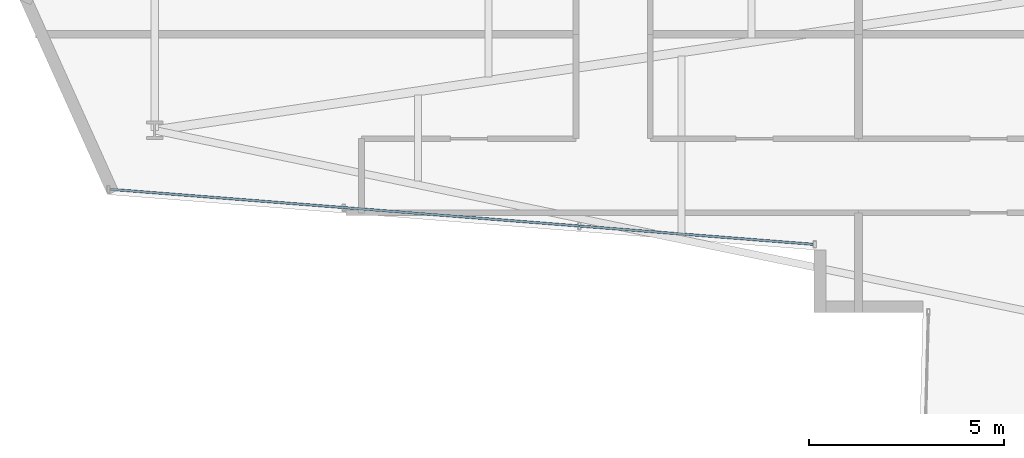
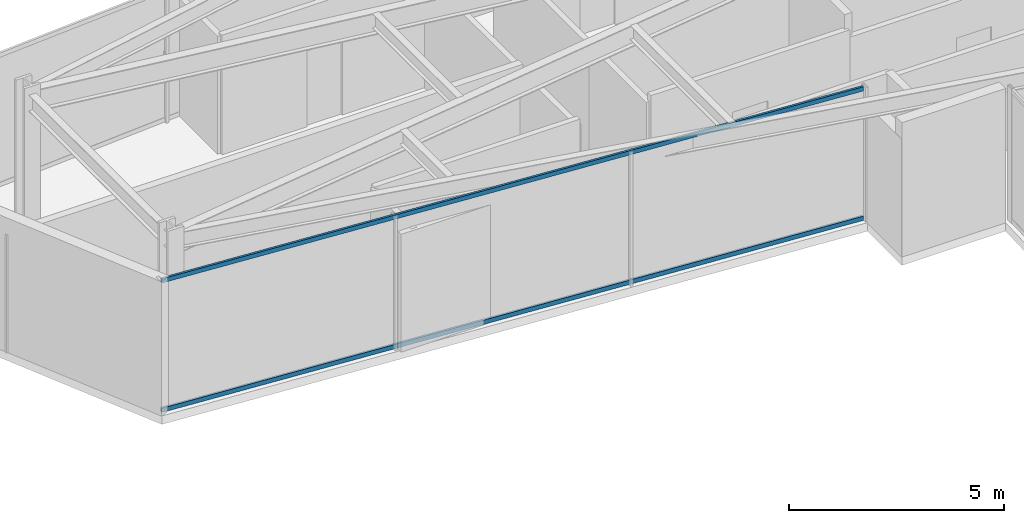
# One storey, part 3 of 30: 2 members, 1 element without a shape of its own.
"""IFC4 building model written with IfcOpenShell, lengths in metres."""

from ifc_helpers import new_model, si_unit, direction, frame, origin, origin_2d, place, context, subcontext, project, spatial, hollow_rectangle, extrude, material, layer, layer_set, material_profile, profile_set, type_object, element, aggregate, save


model = new_model("IFC4")

# Units and contexts
model_context = context("Model", 3, precision=1e-05, world=origin(), true_north=direction((0.0, 1.0)))
body_context = subcontext(model_context, "Body", "Model", "MODEL_VIEW")
ifc_project = project(units=[si_unit("LENGTHUNIT", "METRE"), si_unit("AREAUNIT", "SQUARE_METRE"), si_unit("VOLUMEUNIT", "CUBIC_METRE"), si_unit("PLANEANGLEUNIT", "RADIAN"), si_unit("MASSUNIT", "GRAM", prefix="KILO")], contexts=[model_context])

# Site, building, storey
site_placement = place(None, origin())
site = spatial("IfcSite", under=ifc_project, at=site_placement, CompositionType="ELEMENT")
building_placement = place(site_placement, origin())
building = spatial("IfcBuilding", under=site, at=building_placement, Name="Veymaron Broadcast Tower", CompositionType="ELEMENT")
storey_placement = place(building_placement, frame((0.0, 0.0, 66.14990234375)))
storey = spatial("IfcBuildingStorey", under=building, at=storey_placement, Name="L14", CompositionType="ELEMENT", Elevation=66.14990234375)

# Curtain wall, members
ifc_material_1 = material(Name="Anodised aluminium AA 6063-T6 and laminated low-E dark glass", Category="aluminium")
ifc_layer = layer(ifc_material_1, 0.179931640625)
ifc_layer_set = layer_set([ifc_layer], Name="Anodised aluminium AA 6063-T6 and laminated low-E dark glass")
curtain_wall_type = type_object("IfcCurtainWallType", Name="CW-SYS-02", PredefinedType="NOTDEFINED", material=ifc_layer_set)
curtain_wall_placement = place(storey_placement, origin())
curtain_wall = element("IfcCurtainWall", 1, at=curtain_wall_placement, inside=storey, type_object=curtain_wall_type, Name="L14 dark-glass curtain wall CW-L14-E14-1", PredefinedType="NOTDEFINED")
ifc_material_2 = material(Name="Anodised aluminium AA 6063-T6", Category="aluminium")
ifc_material_profile = material_profile(ifc_material_2, hollow_rectangle(XDim=0.06005859375, YDim=0.1201171875, WallThickness=0.00390625, at=origin_2d()), Name="AL120X60X4")
ifc_profile_set = profile_set([ifc_material_profile], Name="Anodised aluminium AA 6063-T6")
member_type = type_object("IfcMemberType", Name="CW-TRN-02", PredefinedType="USERDEFINED", material=ifc_profile_set)
member_1_placement = place(storey_placement, frame((7.560791015625, 19.15234375, 0.070068359375), z_axis=(0.996952327032, -0.078013188791, 0.0), x_axis=(0.078013188791, 0.996952327032, 0.0)))
member_1 = element("IfcMember", 2, at=member_1_placement, type_object=member_type, Name="CW-L14-E14-1 transom B", ObjectType="TRANSOM", PredefinedType="USERDEFINED", context=body_context, shape_type="SweptSolid", body=[
    extrude(hollow_rectangle(XDim=0.06005859375, YDim=0.1201171875, WallThickness=0.00390625, at=origin_2d()), origin(), (0.0, 0.0, 1.0), 18.063232421875),
])
member_2_placement = place(storey_placement, frame((7.560791015625, 19.15234375, 3.739990234375), z_axis=(0.996952327032, -0.078013188791, 0.0), x_axis=(0.078013188791, 0.996952327032, 0.0)))
member_2 = element("IfcMember", 3, at=member_2_placement, type_object=member_type, Name="CW-L14-E14-1 transom T", ObjectType="TRANSOM", PredefinedType="USERDEFINED", context=body_context, shape_type="SweptSolid", body=[
    extrude(hollow_rectangle(XDim=0.06005859375, YDim=0.1201171875, WallThickness=0.00390625, at=origin_2d()), origin(), (0.0, 0.0, 1.0), 18.063232421875),
])
aggregate(curtain_wall, [member_1, member_2])

save(model, "model.ifc")
